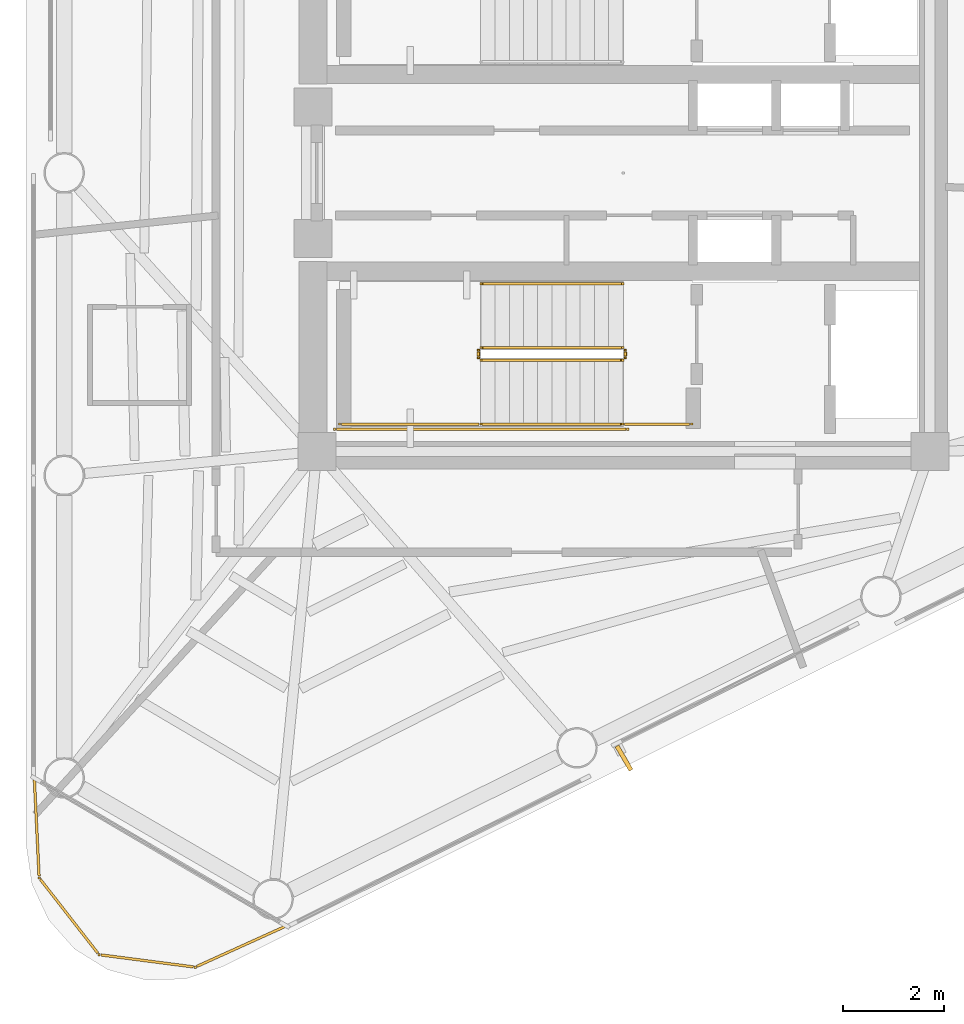
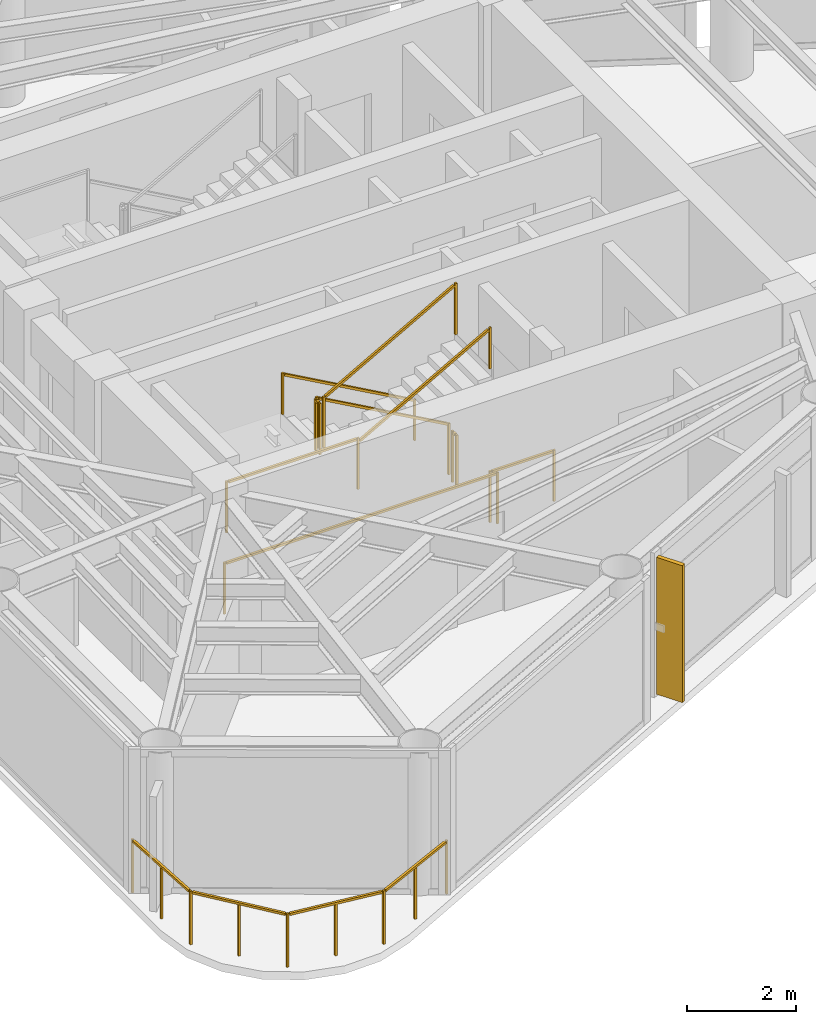
# One storey, part 7 of 10: 10 railings, 1 shading device.
"""IFC4 building model written with IfcOpenShell, lengths in metres."""

import ifcopenshell
import ifcopenshell.guid

model = None  # the IFC model being written
_history = None  # IfcOwnerHistory: only IFC2X3 demands one
_inside = {}  # id of a spatial element -> (the spatial element, [elements in it])
_under = {}  # id of a project, library or spatial element -> (it, [spatial elements below it])
_declared = {}  # id of a project -> (the project, [libraries it declares])
_typed = {}  # id of a type object -> (the type object, [elements of that type])
_made_of = {}  # id of a material, layer set ... -> (it, [elements and type objects made of it])


def new_model(schema):
    """Start an empty IFC model of exactly this schema.

    Asked for "IFC4X3", IfcOpenShell would pick the latest addendum, in which some entities
    have other attributes; the version numbers below select the first issue.
    IFC2X3 requires an IfcOwnerHistory on every rooted entity: one is made here for all.
    """
    global model, _history
    if schema == "IFC4X3":
        model = ifcopenshell.file(schema_version=(4, 3, 0, 0))
    else:
        model = ifcopenshell.file(schema=schema)
    _inside.clear()
    _under.clear()
    _declared.clear()
    _typed.clear()
    _made_of.clear()
    _history = None
    if model.schema == "IFC2X3":
        org = make("IfcOrganization", Name="unknown")
        user = make(
            "IfcPersonAndOrganization",
            ThePerson=make("IfcPerson", FamilyName="unknown"),
            TheOrganization=org,
        )
        app = make(
            "IfcApplication",
            ApplicationDeveloper=org,
            Version="unknown",
            ApplicationFullName="unknown",
            ApplicationIdentifier="unknown",
        )
        _history = make(
            "IfcOwnerHistory",
            OwningUser=user,
            OwningApplication=app,
            ChangeAction="ADDED",
            CreationDate=0,
        )
    return model


def make(cls, **values):
    """One entity of the class cls with the attributes given. An attribute that is None is left unset."""
    return model.create_entity(
        cls, **{name: value for name, value in values.items() if value is not None}
    )


def rooted(cls, **values):
    """An entity with a GlobalId (a new one), such as an element, a storey or a relation."""
    return make(cls, GlobalId=ifcopenshell.guid.new(), OwnerHistory=_history, **values)


def si_unit(unit_type, name, prefix=None):
    """IfcSIUnit, for example si_unit("LENGTHUNIT", "METRE", prefix="MILLI")."""
    return make("IfcSIUnit", UnitType=unit_type, Prefix=prefix, Name=name)


def assignment(units):
    """IfcUnitAssignment: the units of a project."""
    return None if units is None else make("IfcUnitAssignment", Units=units)


def point(xyz):
    """IfcCartesianPoint."""
    return None if xyz is None else make("IfcCartesianPoint", Coordinates=xyz)


def direction(xyz):
    """IfcDirection."""
    return None if xyz is None else make("IfcDirection", DirectionRatios=xyz)


def frame(location, z_axis=None, x_axis=None):
    """IfcAxis2Placement3D, a coordinate frame: its origin and axes. An axis left out is left unset."""
    return make(
        "IfcAxis2Placement3D",
        Location=point(location),
        Axis=direction(z_axis),
        RefDirection=direction(x_axis),
    )


def frame_2d(location, x_axis=None):
    """IfcAxis2Placement2D, a coordinate frame in the plane: its origin and x axis."""
    return make(
        "IfcAxis2Placement2D", Location=point(location), RefDirection=direction(x_axis)
    )


def origin():
    """The frame at (0, 0, 0) with its axes left unset."""
    return frame((0.0, 0.0, 0.0))


def origin_2d():
    """The frame at (0, 0) in the plane with its x axis left unset."""
    return frame_2d((0.0, 0.0))


def place(relative_to, where):
    """IfcLocalPlacement: puts the frame where relative to a parent placement (None: the world)."""
    return make(
        "IfcLocalPlacement", PlacementRelTo=relative_to, RelativePlacement=where
    )


def context(
    kind, dimensions, precision=None, world=None, true_north=None, identifier=None
):
    """IfcGeometricRepresentationContext, for example the 3D "Model" context."""
    return make(
        "IfcGeometricRepresentationContext",
        ContextIdentifier=identifier,
        ContextType=kind,
        CoordinateSpaceDimension=dimensions,
        Precision=precision,
        WorldCoordinateSystem=world,
        TrueNorth=true_north,
    )


def subcontext(parent, identifier, kind, view, scale=None):
    """IfcGeometricRepresentationSubContext, for example "Body" below "Model"."""
    return make(
        "IfcGeometricRepresentationSubContext",
        ContextIdentifier=identifier,
        ContextType=kind,
        ParentContext=parent,
        TargetScale=scale,
        TargetView=view,
    )


def project(units=None, contexts=None):
    """IfcProject with its units and contexts."""
    return rooted(
        "IfcProject",
        Name="project",
        RepresentationContexts=contexts,
        UnitsInContext=assignment(units),
    )


def spatial(cls, under=None, at=None, **own):
    """A site, building, storey or space (cls), placed at a placement, below another one or the project."""
    s = rooted(cls, ObjectPlacement=at, **own)
    if under is not None:
        _under.setdefault(under.id(), (under, []))[1].append(s)
    return s


def profile(cls, at=None, kind="AREA", **sizes):
    """A parametric profile (cls). Its sizes go by their IFC names, for example OverallWidth=200.0."""
    return make(cls, ProfileType=kind, Position=at, **sizes)


def rectangle(**sizes):
    """IfcRectangleProfileDef."""
    return profile("IfcRectangleProfileDef", **sizes)


def extrude(swept, where, along, depth):
    """IfcExtrudedAreaSolid: the profile swept, set in the frame where, extruded along a direction by depth."""
    return make(
        "IfcExtrudedAreaSolid",
        SweptArea=swept,
        Position=where,
        ExtrudedDirection=direction(along),
        Depth=depth,
    )


def shape(context_of_items, identifier, shape_type, items):
    """IfcShapeRepresentation: the items that make up one representation, for example the "Body"."""
    return make(
        "IfcShapeRepresentation",
        ContextOfItems=context_of_items,
        RepresentationIdentifier=identifier,
        RepresentationType=shape_type,
        Items=items,
    )


def source(mapping_origin, context_of_items, identifier, shape_type, items):
    """IfcRepresentationMap: a shape defined once, which mapped items show again and again."""
    return make(
        "IfcRepresentationMap",
        MappingOrigin=mapping_origin,
        MappedRepresentation=shape(context_of_items, identifier, shape_type, items),
    )


def transform(
    local_origin,
    x_axis=None,
    y_axis=None,
    z_axis=None,
    scale=None,
    scale2=None,
    scale3=None,
    uniform=True,
):
    """IfcCartesianTransformationOperator3D, or its non-uniform kind. x_axis, y_axis, z_axis: its Axis1, 2, 3."""
    if uniform:
        return make(
            "IfcCartesianTransformationOperator3D",
            Axis1=direction(x_axis),
            Axis2=direction(y_axis),
            LocalOrigin=point(local_origin),
            Scale=scale,
            Axis3=direction(z_axis),
        )
    return make(
        "IfcCartesianTransformationOperator3DnonUniform",
        Axis1=direction(x_axis),
        Axis2=direction(y_axis),
        LocalOrigin=point(local_origin),
        Scale=scale,
        Axis3=direction(z_axis),
        Scale2=scale2,
        Scale3=scale3,
    )


def mapped(mapping_source, mapping_target):
    """IfcMappedItem: shows the shape of a source again, moved by a transform."""
    return make(
        "IfcMappedItem", MappingSource=mapping_source, MappingTarget=mapping_target
    )


def material(Name=None, Category=None):
    """IfcMaterial."""
    return make("IfcMaterial", Name=Name, Category=Category)


def material_profile(
    of_material, cross_section, Name=None, Category=None, Priority=None
):
    """IfcMaterialProfile: a cross section and its material."""
    return make(
        "IfcMaterialProfile",
        Name=Name,
        Material=of_material,
        Profile=cross_section,
        Priority=Priority,
        Category=Category,
    )


def profile_set(profiles, Name=None, composite=None):
    """IfcMaterialProfileSet."""
    return make(
        "IfcMaterialProfileSet",
        Name=Name,
        MaterialProfiles=profiles,
        CompositeProfile=composite,
    )


def made_of(thing, what):
    """Note that an element or type object is made of a material, layer set ...; save() writes the relation."""
    if what is not None:
        _made_of.setdefault(what.id(), (what, []))[1].append(thing)
    return thing


def type_object(cls, material=None, **own):
    """A type object (cls), such as IfcWallType, which elements share."""
    return made_of(rooted(cls, **own), material)


def element(
    cls,
    number,
    at=None,
    inside=None,
    cuts=None,
    type_object=None,
    material=None,
    context=None,
    identifier="Body",
    shape_type=None,
    held_by="IfcProductDefinitionShape",
    body=None,
    shapes=None,
    **own,
):
    """One element of the class cls, such as IfcWall. Its Tag is "e" and its number.

    at: its placement. inside: the storey or other place that contains it. cuts: it is an
    opening in that element (IfcRelVoidsElement). A single representation is given by context,
    identifier, shape_type and body (its items); several are given by shapes. held_by: the class
    of the entity that holds the representations. save() writes the other relations.
    """
    e = rooted(cls, Tag="e%d" % number, ObjectPlacement=at, **own)
    if body is not None:
        shapes = [shape(context, identifier, shape_type, body)]
    if shapes is not None:
        e.Representation = make(held_by, Representations=shapes)
    if inside is not None:
        _inside.setdefault(inside.id(), (inside, []))[1].append(e)
    if cuts is not None:
        rooted(
            "IfcRelVoidsElement", RelatingBuildingElement=cuts, RelatedOpeningElement=e
        )
    if type_object is not None:
        _typed.setdefault(type_object.id(), (type_object, []))[1].append(e)
    return made_of(e, material)


def aggregate(whole, parts):
    """IfcRelAggregates: a whole, such as a stair, and the parts it consists of."""
    return rooted("IfcRelAggregates", RelatingObject=whole, RelatedObjects=parts)


def save(model, path):
    """Write the relations noted so far, then the file.

    IfcRelAggregates (storeys below a building ...), IfcRelContainedInSpatialStructure (elements
    in a storey), IfcRelDefinesByType, IfcRelAssociatesMaterial and IfcRelDeclares: one each for
    every whole, place, type object, material and project.
    """
    for whole, parts in _under.values():
        aggregate(whole, parts)
    for where, things in _inside.values():
        rooted(
            "IfcRelContainedInSpatialStructure",
            RelatedElements=things,
            RelatingStructure=where,
        )
    for kind, things in _typed.values():
        rooted("IfcRelDefinesByType", RelatedObjects=things, RelatingType=kind)
    for what, things in _made_of.values():
        rooted("IfcRelAssociatesMaterial", RelatedObjects=things, RelatingMaterial=what)
    for by, libraries in _declared.values():
        rooted("IfcRelDeclares", RelatingContext=by, RelatedDefinitions=libraries)
    model.write(path)


model = new_model("IFC4")

# Units and contexts
model_context = context("Model", 3, precision=1e-05, world=origin(), true_north=direction((0.0, 1.0)))
body_context = subcontext(model_context, "Body", "Model", "MODEL_VIEW")
ifc_project = project(units=[si_unit("LENGTHUNIT", "METRE"), si_unit("AREAUNIT", "SQUARE_METRE"), si_unit("VOLUMEUNIT", "CUBIC_METRE"), si_unit("PLANEANGLEUNIT", "RADIAN"), si_unit("MASSUNIT", "GRAM", prefix="KILO")], contexts=[model_context])

# Site, building, storey
site_placement = place(None, origin())
site = spatial("IfcSite", under=ifc_project, at=site_placement, CompositionType="ELEMENT")
building_placement = place(site_placement, origin())
building = spatial("IfcBuilding", under=site, at=building_placement, Name="Yunling Apex Tower", CompositionType="ELEMENT")
storey_placement = place(building_placement, frame((0.0, 0.0, 314.0)))
storey = spatial("IfcBuildingStorey", under=building, at=storey_placement, Name="L77", CompositionType="ELEMENT", Elevation=314.0)

# Railings
ifc_material_1 = material(Name="Bronze anodised aluminium", Category="aluminium")
railing_type_1 = type_object("IfcRailingType", Name="RL-BAL-1200", PredefinedType="BALUSTRADE", material=ifc_material_1)
railing_1_placement = place(storey_placement, frame((-6.651123046875, -14.864990234375, 0.0)))
element("IfcRailing", 1, at=railing_1_placement, inside=storey, type_object=railing_type_1, Name="RL-CRNSILL-L77-3", PredefinedType="BALUSTRADE", context=body_context, shape_type="SweptSolid", body=[
    extrude(rectangle(XDim=0.0439453125, YDim=0.0439453125, at=origin_2d()), origin(), (0.0, 0.0, 1.0), 1.199951171875),
    extrude(rectangle(XDim=0.0439453125, YDim=0.0439453125, at=origin_2d()), frame((-1.799560546875, -0.814697265625, 0.0)), (0.0, 0.0, 1.0), 1.199951171875),
    extrude(rectangle(XDim=0.050048828125, YDim=0.050048828125, at=origin_2d()), frame((-0.034912109375, -0.015869140625, 1.1748046875), z_axis=(-0.910991856267, -0.412424341929, 0.0), x_axis=(0.412424341929, -0.910991856267, 0.0)), (0.0, 0.0, 1.0), 1.898681640625),
    extrude(rectangle(XDim=0.0439453125, YDim=0.0439453125, at=origin_2d()), frame((-0.89990234375, -0.4072265625, 0.0)), (0.0, 0.0, 1.0), 1.14599609375),
    extrude(rectangle(XDim=0.0439453125, YDim=0.0439453125, at=origin_2d()), frame((-3.69921875, -0.568603515625, 0.0)), (0.0, 0.0, 1.0), 1.199951171875),
    extrude(rectangle(XDim=0.050048828125, YDim=0.050048828125, at=origin_2d()), frame((-1.837646484375, -0.809814453125, 1.1748046875), z_axis=(-0.991713034877, 0.128472784881, 0.0), x_axis=(-0.128472784881, -0.991713034877, 0.0)), (0.0, 0.0, 1.0), 1.8388671875),
    extrude(rectangle(XDim=0.0439453125, YDim=0.0439453125, at=origin_2d()), frame((-2.74951171875, -0.691650390625, 0.0)), (0.0, 0.0, 1.0), 1.14599609375),
    extrude(rectangle(XDim=0.0439453125, YDim=0.0439453125, at=origin_2d()), frame((-4.880126953125, 0.947265625, 0.0)), (0.0, 0.0, 1.0), 1.199951171875),
    extrude(rectangle(XDim=0.050048828125, YDim=0.050048828125, at=origin_2d()), frame((-3.72265625, -0.538330078125, 1.1748046875), z_axis=(-0.61455614591, 0.788873084548, 0.0), x_axis=(-0.788873084548, -0.61455614591, 0.0)), (0.0, 0.0, 1.0), 1.844970703125),
    extrude(rectangle(XDim=0.0439453125, YDim=0.0439453125, at=origin_2d()), frame((-4.28955078125, 0.189453125, 0.0)), (0.0, 0.0, 1.0), 1.14599609375),
    extrude(rectangle(XDim=0.0439453125, YDim=0.0439453125, at=origin_2d()), frame((-4.97607421875, 2.919677734375, 0.0)), (0.0, 0.0, 1.0), 1.199951171875),
    extrude(rectangle(XDim=0.050048828125, YDim=0.050048828125, at=origin_2d()), frame((-4.882080078125, 0.985595703125, 1.1748046875), z_axis=(-0.048587182269, 0.998818945415, 0.0), x_axis=(-0.998818945415, -0.048587182269, 0.0)), (0.0, 0.0, 1.0), 1.898193359375),
    extrude(rectangle(XDim=0.0439453125, YDim=0.0439453125, at=origin_2d()), frame((-4.92822265625, 1.93359375, 0.0)), (0.0, 0.0, 1.0), 1.14599609375),
])
ifc_material_2 = material(Name="Steel Q355B", Category="steel")
railing_type_2 = type_object("IfcRailingType", Name="RL-GRD-1150", PredefinedType="GUARDRAIL", material=ifc_material_2)
railing_2_placement = place(storey_placement, frame((-0.010009765625, -3.449951171875, 0.15673828125)))
element("IfcRailing", 2, at=railing_2_placement, inside=storey, type_object=railing_type_2, Name="L77 ST-2 stair guard 1", PredefinedType="GUARDRAIL", context=body_context, shape_type="SweptSolid", body=[
    extrude(rectangle(XDim=0.0439453125, YDim=0.0439453125, at=origin_2d()), origin(), (0.0, 0.0, 1.0), 1.14990234375),
    extrude(rectangle(XDim=0.0439453125, YDim=0.0439453125, at=origin_2d()), frame((-2.800048828125, 0.0, 1.568359375)), (0.0, 0.0, 1.0), 1.14990234375),
    extrude(rectangle(XDim=0.050048828125, YDim=0.050048828125, at=origin_2d()), frame((-0.033447265625, 0.0, 1.1435546875), z_axis=(-0.872461907711, 0.0, 0.488682125306), x_axis=(0.0, -1.0, 0.0)), (0.0, 0.0, 1.0), 3.1328125),
])
railing_3_placement = place(storey_placement, frame((-2.860107421875, -3.5, 1.72509765625)))
element("IfcRailing", 3, at=railing_3_placement, inside=storey, type_object=railing_type_2, Name="L77 ST-2 stair guard 2", PredefinedType="GUARDRAIL", context=body_context, shape_type="SweptSolid", body=[
    extrude(rectangle(XDim=0.0439453125, YDim=0.0439453125, at=origin_2d()), origin(), (0.0, 0.0, 1.0), 1.14990234375),
    extrude(rectangle(XDim=0.0439453125, YDim=0.0439453125, at=origin_2d()), frame((0.0, -0.14990234375, 0.0)), (0.0, 0.0, 1.0), 1.14990234375),
    extrude(rectangle(XDim=0.050048828125, YDim=0.050048828125, at=origin_2d()), frame((0.0, -0.038330078125, 1.125), z_axis=(0.0, -1.0, 0.0), x_axis=(1.0, 0.0, 0.0)), (0.0, 0.0, 1.0), 0.0732421875),
])
railing_4_placement = place(storey_placement, frame((-2.81005859375, -4.9599609375, 1.72509765625)))
element("IfcRailing", 4, at=railing_4_placement, inside=storey, type_object=railing_type_2, Name="L77 ST-2 stair guard 3", PredefinedType="GUARDRAIL", context=body_context, shape_type="SweptSolid", body=[
    extrude(rectangle(XDim=0.0439453125, YDim=0.0439453125, at=origin_2d()), origin(), (0.0, 0.0, 1.0), 1.14990234375),
    extrude(rectangle(XDim=0.0439453125, YDim=0.0439453125, at=origin_2d()), frame((-2.7900390625, 0.0, 0.0)), (0.0, 0.0, 1.0), 1.14990234375),
    extrude(rectangle(XDim=0.050048828125, YDim=0.050048828125, at=origin_2d()), frame((-0.038330078125, 0.0, 1.125), z_axis=(-1.0, 0.0, 0.0), x_axis=(0.0, -1.0, 0.0)), (0.0, 0.0, 1.0), 2.71337890625),
])
railing_5_placement = place(storey_placement, frame((-2.81005859375, -3.699951171875, 1.8818359375)))
element("IfcRailing", 5, at=railing_5_placement, inside=storey, type_object=railing_type_2, Name="L77 ST-2 stair guard 4", PredefinedType="GUARDRAIL", context=body_context, shape_type="SweptSolid", body=[
    extrude(rectangle(XDim=0.0439453125, YDim=0.0439453125, at=origin_2d()), origin(), (0.0, 0.0, 1.0), 1.14990234375),
    extrude(rectangle(XDim=0.0439453125, YDim=0.0439453125, at=origin_2d()), frame((2.800048828125, 0.0, 1.568115234375)), (0.0, 0.0, 1.0), 1.14990234375),
    extrude(rectangle(XDim=0.050048828125, YDim=0.050048828125, at=origin_2d()), frame((0.033447265625, 0.0, 1.1435546875), z_axis=(0.872494340497, 0.0, 0.48862421737), x_axis=(0.0, 1.0, 0.0)), (0.0, 0.0, 1.0), 3.132568359375),
])
railing_6_placement = place(storey_placement, frame((0.0400390625, -3.5, 0.0)))
element("IfcRailing", 6, at=railing_6_placement, inside=storey, type_object=railing_type_2, Name="L77 ST-2 stair guard 5", PredefinedType="GUARDRAIL", context=body_context, shape_type="SweptSolid", body=[
    extrude(rectangle(XDim=0.0439453125, YDim=0.0439453125, at=origin_2d()), origin(), (0.0, 0.0, 1.0), 1.14990234375),
    extrude(rectangle(XDim=0.0439453125, YDim=0.0439453125, at=origin_2d()), frame((0.0, -0.14990234375, 0.0)), (0.0, 0.0, 1.0), 1.14990234375),
    extrude(rectangle(XDim=0.050048828125, YDim=0.050048828125, at=origin_2d()), frame((0.0, -0.038330078125, 1.125), z_axis=(0.0, -1.0, 0.0), x_axis=(1.0, 0.0, 0.0)), (0.0, 0.0, 1.0), 0.0732421875),
])
railing_7_placement = place(storey_placement, frame((1.35009765625, -4.9599609375, 0.0)))
element("IfcRailing", 7, at=railing_7_placement, inside=storey, type_object=railing_type_2, Name="L77 ST-2 stair guard 6", PredefinedType="GUARDRAIL", context=body_context, shape_type="SweptSolid", body=[
    extrude(rectangle(XDim=0.0439453125, YDim=0.0439453125, at=origin_2d()), origin(), (0.0, 0.0, 1.0), 1.14990234375),
    extrude(rectangle(XDim=0.0439453125, YDim=0.0439453125, at=origin_2d()), frame((-1.360107421875, 0.0, 0.0)), (0.0, 0.0, 1.0), 1.14990234375),
    extrude(rectangle(XDim=0.050048828125, YDim=0.050048828125, at=origin_2d()), frame((-0.038330078125, 0.0, 1.125), z_axis=(-1.0, 0.0, 0.0), x_axis=(0.0, -1.0, 0.0)), (0.0, 0.0, 1.0), 1.283447265625),
])
railing_8_placement = place(storey_placement, frame((0.090087890625, -5.06005859375, 0.0)))
element("IfcRailing", 8, at=railing_8_placement, inside=storey, type_object=railing_type_2, Name="L77 ST-2 stair guard 7", PredefinedType="GUARDRAIL", context=body_context, shape_type="SweptSolid", body=[
    extrude(rectangle(XDim=0.0439453125, YDim=0.0439453125, at=origin_2d()), origin(), (0.0, 0.0, 1.0), 1.14990234375),
    extrude(rectangle(XDim=0.0439453125, YDim=0.0439453125, at=origin_2d()), frame((-5.7900390625, 0.0, 0.0)), (0.0, 0.0, 1.0), 1.14990234375),
    extrude(rectangle(XDim=0.050048828125, YDim=0.050048828125, at=origin_2d()), frame((-0.038330078125, 0.0, 1.125), z_axis=(-1.0, 0.0, 0.0), x_axis=(0.0, -1.0, 0.0)), (0.0, 0.0, 1.0), 5.71337890625),
])
ifc_material_3 = material(Name="Silver anodised aluminium", Category="aluminium")
railing_type_3 = type_object("IfcRailingType", Name="RL-HND-900", PredefinedType="HANDRAIL", material=ifc_material_3)
railing_9_placement = place(storey_placement, frame((-0.010009765625, -2.18994140625, 0.15673828125)))
element("IfcRailing", 9, at=railing_9_placement, inside=storey, type_object=railing_type_3, Name="L77 ST-2 stair handrail 1", PredefinedType="HANDRAIL", context=body_context, shape_type="SweptSolid", body=[
    extrude(rectangle(XDim=0.0439453125, YDim=0.0439453125, at=origin_2d()), origin(), (0.0, 0.0, 1.0), 0.919921875),
    extrude(rectangle(XDim=0.0439453125, YDim=0.0439453125, at=origin_2d()), frame((-2.800048828125, 0.0, 1.568359375)), (0.0, 0.0, 1.0), 0.919921875),
    extrude(rectangle(XDim=0.050048828125, YDim=0.050048828125, at=origin_2d()), frame((-0.033447265625, 0.0, 0.91357421875), z_axis=(-0.872461907711, 0.0, 0.488682125306), x_axis=(0.0, -1.0, 0.0)), (0.0, 0.0, 1.0), 3.1328125),
])
railing_10_placement = place(storey_placement, frame((-2.81005859375, -4.9599609375, 1.8818359375)))
element("IfcRailing", 10, at=railing_10_placement, inside=storey, type_object=railing_type_3, Name="L77 ST-2 stair handrail 2", PredefinedType="HANDRAIL", context=body_context, shape_type="SweptSolid", body=[
    extrude(rectangle(XDim=0.0439453125, YDim=0.0439453125, at=origin_2d()), origin(), (0.0, 0.0, 1.0), 0.919921875),
    extrude(rectangle(XDim=0.0439453125, YDim=0.0439453125, at=origin_2d()), frame((2.800048828125, 0.0, 1.568115234375)), (0.0, 0.0, 1.0), 0.919921875),
    extrude(rectangle(XDim=0.050048828125, YDim=0.050048828125, at=origin_2d()), frame((0.033447265625, 0.0, 0.91357421875), z_axis=(0.872494340497, 0.0, 0.48862421737), x_axis=(0.0, 1.0, 0.0)), (0.0, 0.0, 1.0), 3.132568359375),
])

# Shading device
ifc_material_profile = material_profile(ifc_material_1, rectangle(XDim=0.0849609375, YDim=0.550048828125, at=origin_2d()))
ifc_profile_set = profile_set([ifc_material_profile], Name="Bronze anodised aluminium")
shading_device_type = type_object("IfcShadingDeviceType", Name="FN-BRZ-3", PredefinedType="USERDEFINED", material=ifc_profile_set)
shared_shape = source(origin(), body_context, "Body", "SweptSolid", [
    extrude(rectangle(XDim=0.0849609375, YDim=0.550048828125, at=origin_2d()), origin(), (0.0, 0.0, 1.0), 3.070068359375),
])
shading_device_placement = place(storey_placement, frame((0.013671875, -11.553466796875, 0.06005859375), z_axis=(0.0, 0.0, 1.0), x_axis=(0.864186995248, 0.503170783377, 0.0)))
element("IfcShadingDevice", 11, at=shading_device_placement, inside=storey, type_object=shading_device_type, Name="CW-L77-F1-B2-FIN-01", ObjectType="FIN", PredefinedType="USERDEFINED", context=body_context, shape_type="MappedRepresentation", body=[
    mapped(shared_shape, transform((0.0, 0.0, 0.0), scale=1.0)),
])

save(model, "model.ifc")
